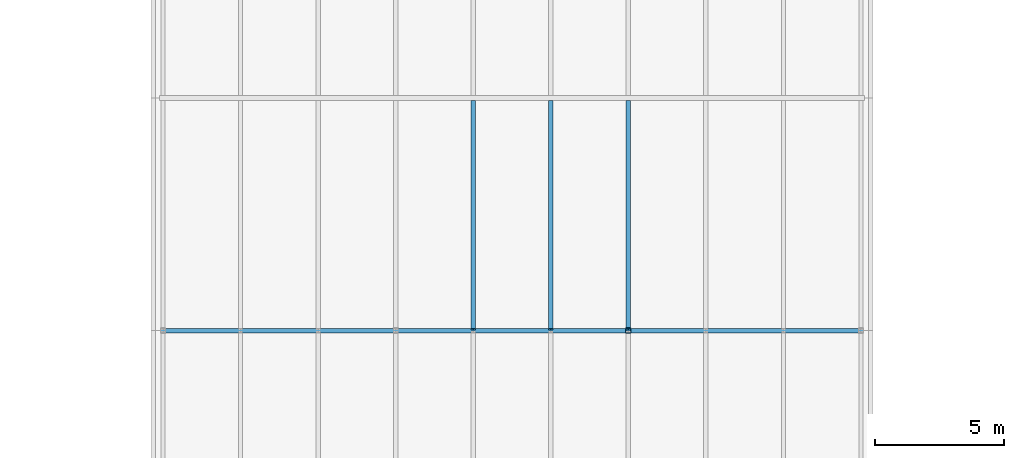
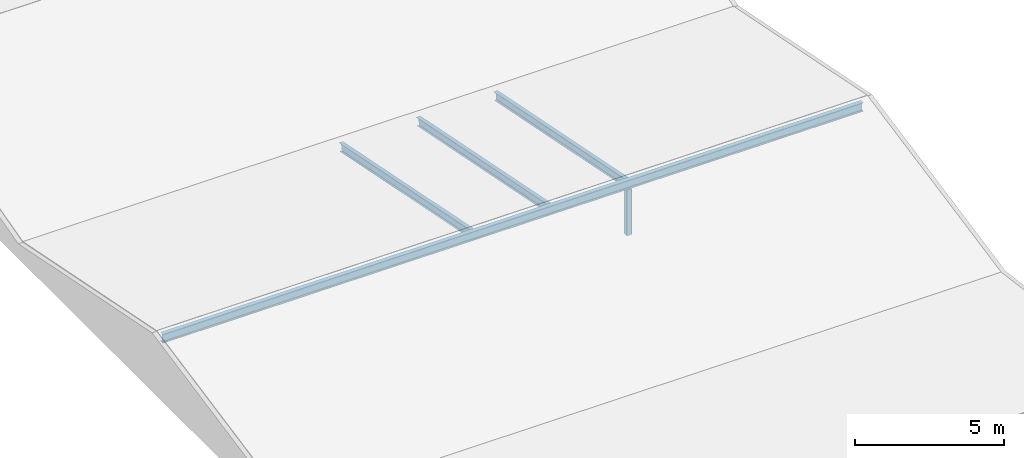
# One storey, part 6 of 29: 4 members, 1 beam.
"""IFC4 building model written with IfcOpenShell, lengths in metres."""

from ifc_helpers import new_model, si_unit, direction, frame, origin, origin_2d, place, context, subcontext, project, spatial, hollow_rectangle, i_section, extrude, material, material_profile, profile_set, type_object, element, save


model = new_model("IFC4")

# Units and contexts
model_context = context("Model", 3, precision=1e-05, world=origin(), true_north=direction((0.0, 1.0)))
body_context = subcontext(model_context, "Body", "Model", "MODEL_VIEW")
ifc_project = project(units=[si_unit("LENGTHUNIT", "METRE"), si_unit("AREAUNIT", "SQUARE_METRE"), si_unit("VOLUMEUNIT", "CUBIC_METRE"), si_unit("PLANEANGLEUNIT", "RADIAN"), si_unit("MASSUNIT", "GRAM", prefix="KILO")], contexts=[model_context])

# Site, building, storey
site_placement = place(None, origin())
site = spatial("IfcSite", under=ifc_project, at=site_placement, CompositionType="ELEMENT")
building_placement = place(site_placement, origin())
building = spatial("IfcBuilding", under=site, at=building_placement, Name="Azimuth Sports and Learning Centre", CompositionType="ELEMENT")
storey_placement = place(building_placement, frame((0.0, 0.0, 27.0)))
storey = spatial("IfcBuildingStorey", under=building, at=storey_placement, Name="L05", CompositionType="ELEMENT", Elevation=27.0)

# Beam
ifc_material_1 = material(Name="Steel S355", Category="steel")
ifc_material_profile_1 = material_profile(ifc_material_1, i_section(OverallWidth=0.169921875, OverallDepth=0.360107421875, WebThickness=0.008056640625, FlangeThickness=0.0126953125, FilletRadius=0.01806640625, at=origin_2d()), Name="IPE 360")
ifc_profile_set_1 = profile_set([ifc_material_profile_1], Name="Steel S355")
beam_type = type_object("IfcBeamType", Name="Beam IPE 360", PredefinedType="BEAM", material=ifc_profile_set_1)
beam_placement = place(storey_placement, frame((71.89990234375, 18.0, 2.06689453125), z_axis=(1.0, 0.0, 0.0), x_axis=(0.0, 1.0, 0.0)))
element("IfcBeam", 1, at=beam_placement, inside=storey, type_object=beam_type, Name="Beam L05 RF 3", PredefinedType="BEAM", context=body_context, shape_type="SweptSolid", body=[
    extrude(i_section(OverallWidth=0.169921875, OverallDepth=0.360107421875, WebThickness=0.008056640625, FlangeThickness=0.0126953125, FilletRadius=0.01806640625, at=origin_2d()), origin(), (0.0, 0.0, 1.0), 27.2001953125),
])

# Members
ifc_material_2 = material(Name="Steel S355", Category="steel")
ifc_material_profile_2 = material_profile(ifc_material_2, i_section(OverallWidth=0.159912109375, OverallDepth=0.330078125, WebThickness=0.007568359375, FlangeThickness=0.011474609375, FilletRadius=0.01806640625, at=origin_2d()), Name="IPE 330")
ifc_profile_set_2 = profile_set([ifc_material_profile_2], Name="Steel S355")
member_type_1 = type_object("IfcMemberType", Name="Rafter IPE 330", PredefinedType="RAFTER", material=ifc_profile_set_2)
for number, where, z_axis, x_axis, name in (
    (2, (84.0, 18.052734375, 2.068115234375), (0.0, 0.980581719653, -0.196110915255), (-1.0, 0.0, 0.0), "Rafter FOLD03 25"),
    (3, (87.0, 18.052734375, 2.068115234375), (0.0, 0.980581719653, -0.196110915255), (-1.0, 0.0, 0.0), "Rafter FOLD03 26"),
    (4, (90.0, 18.052734375, 2.068115234375), (0.0, 0.980581719653, -0.196110915255), (-1.0, 0.0, 0.0), "Rafter FOLD03 27"),
):
    element("IfcMember", number, at=place(storey_placement, frame(where, z_axis=z_axis, x_axis=x_axis)), inside=storey, type_object=member_type_1, Name=name, PredefinedType="RAFTER", context=body_context, shape_type="SweptSolid", body=[
        extrude(i_section(OverallWidth=0.159912109375, OverallDepth=0.330078125, WebThickness=0.007568359375, FlangeThickness=0.011474609375, FilletRadius=0.01806640625, at=origin_2d()), origin(), (0.0, 0.0, 1.0), 8.994384765625),
    ])
ifc_material_3 = material(Name="Steel S355", Category="steel")
ifc_material_profile_3 = material_profile(ifc_material_3, hollow_rectangle(XDim=0.199951171875, YDim=0.199951171875, WallThickness=0.010009765625, InnerFilletRadius=0.010009765625, OuterFilletRadius=0.014892578125, at=origin_2d()), Name="SHS 200x200x10.0")
ifc_profile_set_3 = profile_set([ifc_material_profile_3], Name="Steel S355")
member_type_2 = type_object("IfcMemberType", Name="Truss post SHS 200x200x10.0", PredefinedType="POST", material=ifc_profile_set_3)
member_placement = place(storey_placement, frame((90.0, 18.0, 0.0), z_axis=(0.0, 0.0, 1.0), x_axis=(1.0, 0.0, 0.0)))
element("IfcMember", 5, at=member_placement, inside=storey, type_object=member_type_2, Name="Ridge post 11C", PredefinedType="POST", context=body_context, shape_type="SweptSolid", body=[
    extrude(hollow_rectangle(XDim=0.199951171875, YDim=0.199951171875, WallThickness=0.010009765625, InnerFilletRadius=0.010009765625, OuterFilletRadius=0.014892578125, at=origin_2d()), origin(), (0.0, 0.0, 1.0), 1.886962890625),
])

save(model, "model.ifc")
